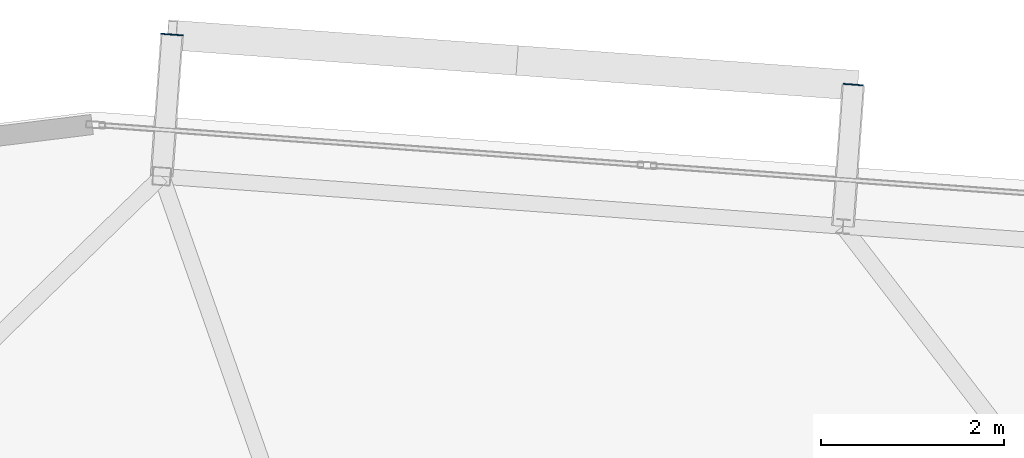
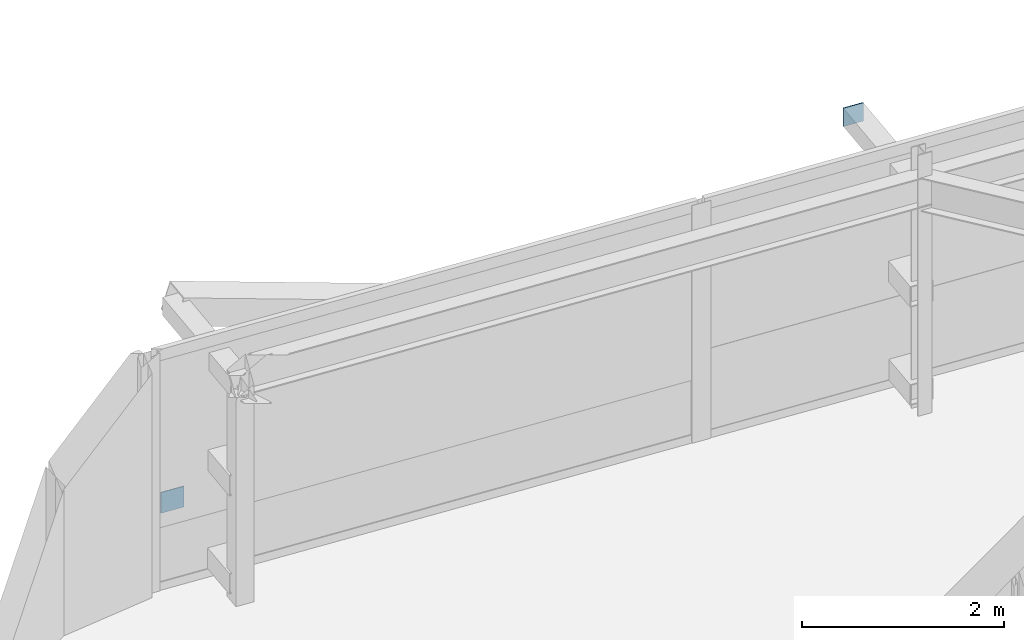
# One storey, part 34 of 40: 2 plates.
"""IFC4 building model written with IfcOpenShell, lengths in metres."""

from ifc_helpers import new_model, si_unit, direction, frame, origin, origin_2d, place, context, subcontext, project, spatial, rectangle, extrude, source, transform, mapped, material, layer, layer_set, type_object, element, save


model = new_model("IFC4")

# Units and contexts
model_context = context("Model", 3, precision=1e-05, world=origin(), true_north=direction((0.0, 1.0)))
body_context = subcontext(model_context, "Body", "Model", "MODEL_VIEW")
ifc_project = project(units=[si_unit("LENGTHUNIT", "METRE"), si_unit("AREAUNIT", "SQUARE_METRE"), si_unit("VOLUMEUNIT", "CUBIC_METRE"), si_unit("PLANEANGLEUNIT", "RADIAN"), si_unit("MASSUNIT", "GRAM", prefix="KILO")], contexts=[model_context])

# Site, building, storey
site_placement = place(None, origin())
site = spatial("IfcSite", under=ifc_project, at=site_placement, CompositionType="ELEMENT")
building_placement = place(site_placement, origin())
building = spatial("IfcBuilding", under=site, at=building_placement, Name="Taldren Reach Tower", CompositionType="ELEMENT")
storey_placement = place(building_placement, frame((0.0, 0.0, 233.449951171875)))
storey = spatial("IfcBuildingStorey", under=building, at=storey_placement, Name="L71", CompositionType="ELEMENT", Elevation=233.449951171875)

# Plates
ifc_material_1 = material(Name="Steel Gr 350 (C350L0)", Category="steel")
ifc_layer_1 = layer(ifc_material_1, 0.011962890625)
ifc_layer_set_1 = layer_set([ifc_layer_1], Name="Steel Gr 350 (C350L0)")
plate_type_1 = type_object("IfcPlateType", Name="PL-CAP-250", PredefinedType="SHEET", material=ifc_layer_set_1)
shared_shape_1 = source(origin(), body_context, "Body", "SweptSolid", [
    extrude(rectangle(XDim=0.25, YDim=0.011962890625, at=origin_2d()), origin(), (0.0, 0.0, 1.0), 0.25),
])
plate_1_placement = place(storey_placement, frame((17.4736328125, 38.230712890625, 0.094970703125), z_axis=(0.0, 0.0, 1.0), x_axis=(0.997314477224, -0.073238197128, 0.0)))
element("IfcPlate", 1, at=plate_1_placement, inside=storey, type_object=plate_type_1, Name="Tie strut end cap plate B5-N1 L71", PredefinedType="SHEET", context=body_context, shape_type="MappedRepresentation", body=[
    mapped(shared_shape_1, transform((0.0, 0.0, 0.0), scale=1.0)),
])
ifc_material_2 = material(Name="Steel Gr 450 (C450L0)", Category="steel")
ifc_layer_2 = layer(ifc_material_2, 0.011962890625)
ifc_layer_set_2 = layer_set([ifc_layer_2], Name="Steel Gr 450 (C450L0)")
plate_type_2 = type_object("IfcPlateType", Name="PL-CAP-220", PredefinedType="SHEET", material=ifc_layer_set_2)
shared_shape_2 = source(origin(), body_context, "Body", "SweptSolid", [
    extrude(rectangle(XDim=0.219970703125, YDim=0.011962890625, at=origin_2d()), origin(), (0.0, 0.0, 1.0), 0.219970703125),
])
plate_2_placement = place(storey_placement, frame((24.93359375, 37.682861328125, 2.47998046875), z_axis=(0.0, 0.0, 1.0), x_axis=(0.997314477224, -0.073238197128, 0.0)))
element("IfcPlate", 2, at=plate_2_placement, inside=storey, type_object=plate_type_2, Name="Tie strut end cap plate B5-N2 L71", PredefinedType="SHEET", context=body_context, shape_type="MappedRepresentation", body=[
    mapped(shared_shape_2, transform((0.0, 0.0, 0.0), scale=1.0)),
])

save(model, "model.ifc")
